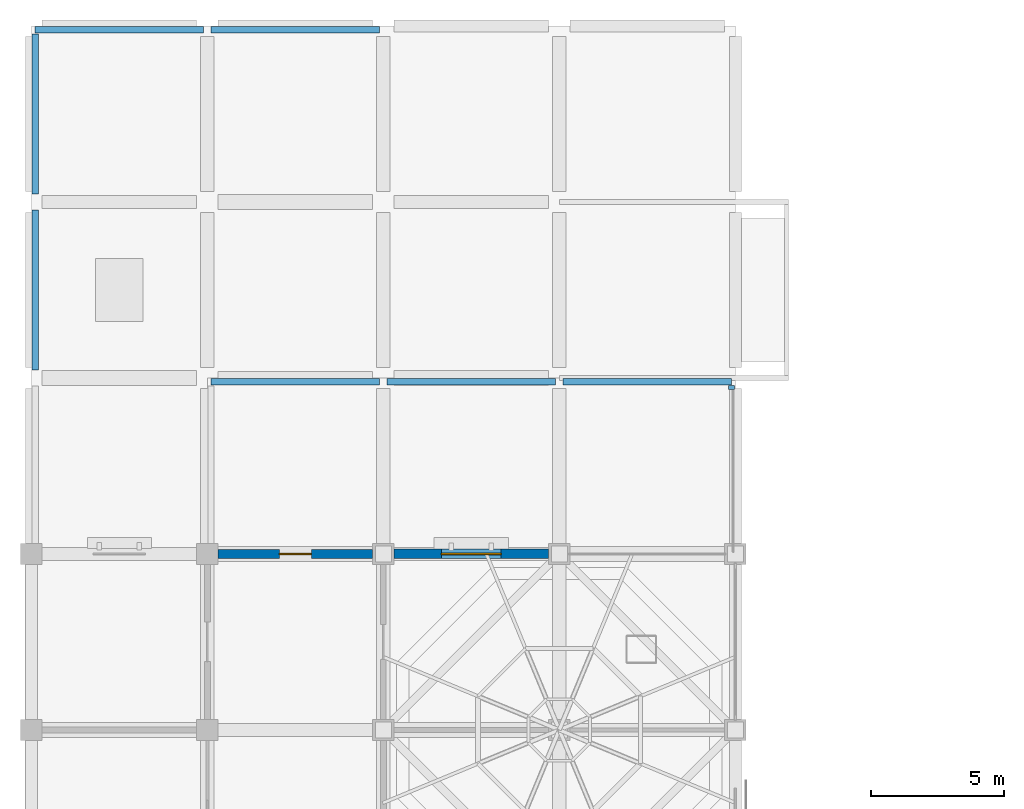
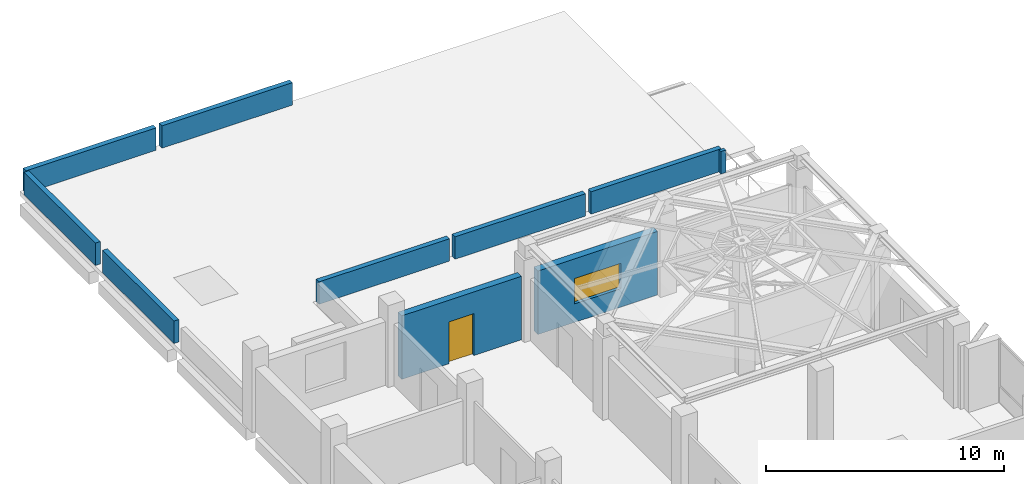
# One storey, part 19 of 25: 10 walls, 1 door, 1 window, 2 openings.
"""IFC4 building model written with IfcOpenShell, lengths in metres."""

from ifc_helpers import new_model, si_unit, direction, frame, frame_2d, origin, place, context, subcontext, project, spatial, rectangle, extrude, material, layer, layer_set, type_object, element, fill, save


model = new_model("IFC4")

# Units and contexts
model_context = context("Model", 3, precision=1e-05, world=origin(), true_north=direction((0.0, 1.0)))
body_context = subcontext(model_context, "Body", "Model", "MODEL_VIEW")
ifc_project = project(units=[si_unit("LENGTHUNIT", "METRE"), si_unit("AREAUNIT", "SQUARE_METRE"), si_unit("VOLUMEUNIT", "CUBIC_METRE"), si_unit("PLANEANGLEUNIT", "RADIAN"), si_unit("MASSUNIT", "GRAM", prefix="KILO")], contexts=[model_context])

# Site, building, storey
site_placement = place(None, origin())
site = spatial("IfcSite", under=ifc_project, at=site_placement, CompositionType="ELEMENT")
building_placement = place(site_placement, origin())
building = spatial("IfcBuilding", under=site, at=building_placement, Name="Rusizi Kubbe Research Institute", CompositionType="ELEMENT")
storey_placement = place(building_placement, frame((0.0, 0.0, 14.39990234375)))
storey = spatial("IfcBuildingStorey", under=building, at=storey_placement, Name="L03", CompositionType="ELEMENT", Elevation=14.39990234375)

# Wall, opening, window
ifc_material_1 = material(Name="Volcanic Basalt Ashlar Masonry", Category="masonry")
ifc_layer_1 = layer(ifc_material_1, 0.35498046875)
ifc_layer_set_1 = layer_set([ifc_layer_1], Name="Volcanic Basalt Ashlar Masonry")
wall_type_1 = type_object("IfcWallType", Name="EW-06", PredefinedType="SOLIDWALL", material=ifc_layer_set_1)
wall_1_placement = place(storey_placement, frame((13.60009765625, 99.0, 0.0), z_axis=(0.0, 0.0, 1.0), x_axis=(1.0, 0.0, 0.0)))
wall_1 = element("IfcWall", 1, at=wall_1_placement, inside=storey, type_object=wall_type_1, Name="Ablaq Stone Exterior Wall L03 H2-15", PredefinedType="SOLIDWALL", context=body_context, shape_type="SweptSolid", body=[
    extrude(rectangle(XDim=5.7998046875, YDim=0.35498046875, at=frame_2d((2.89990234375, 0.0))), origin(), (0.0, 0.0, 1.0), 3.260009765625),
])
opening_1_placement = place(wall_1_placement, frame((1.780029296875, 0.0, 0.949951171875)))
opening_1 = element("IfcOpeningElement", 2, at=opening_1_placement, cuts=wall_1, Name="Opening WN-29", PredefinedType="OPENING", context=body_context, shape_type="SweptSolid", body=[
    extrude(rectangle(XDim=2.239990234375, YDim=1.300048828125, at=frame_2d((1.1201171875, 0.64990234375))), frame((0.0, 0.1875, 0.0), z_axis=(0.0, -1.0, 0.0), x_axis=(1.0, 0.0, 0.0)), (0.0, 0.0, 1.0), 0.375),
])
ifc_material_2 = material(Name="Aluminium Frame and Solar-Control Double Glazing", Category="glass")
window_type = type_object("IfcWindowType", Name="WN-29", PartitioningType="DOUBLE_PANEL_VERTICAL", PredefinedType="WINDOW", material=ifc_material_2)
window_placement = place(opening_1_placement, origin())
window = element("IfcWindow", 3, at=window_placement, inside=storey, type_object=window_type, Name="Casement Window WN-29 L03", OverallHeight=1.300048828125, OverallWidth=2.239990234375, PartitioningType="DOUBLE_PANEL_VERTICAL", PredefinedType="WINDOW", context=body_context, shape_type="SweptSolid", body=[
    extrude(rectangle(XDim=2.239990234375, YDim=1.300048828125, at=frame_2d((1.1201171875, 0.64990234375))), frame((0.0, 0.030029296875, 0.0), z_axis=(0.0, -1.0, 0.0), x_axis=(1.0, 0.0, 0.0)), (0.0, 0.0, 1.0), 0.06005859375),
])
fill(opening_1, window)

# Wall, opening, door
ifc_material_3 = material(Name="Volcanic Basalt Ashlar Masonry", Category="masonry")
ifc_layer_2 = layer(ifc_material_3, 0.324951171875)
ifc_layer_set_2 = layer_set([ifc_layer_2], Name="Volcanic Basalt Ashlar Masonry")
wall_type_2 = type_object("IfcWallType", Name="EW-08", PredefinedType="SOLIDWALL", material=ifc_layer_set_2)
wall_2_placement = place(storey_placement, frame((7.0, 99.0, 0.0), z_axis=(0.0, 0.0, 1.0), x_axis=(1.0, 0.0, 0.0)))
wall_2 = element("IfcWall", 4, at=wall_2_placement, inside=storey, type_object=wall_type_2, Name="Terrace Access Wall L03 H1-15", PredefinedType="SOLIDWALL", context=body_context, shape_type="SweptSolid", body=[
    extrude(rectangle(XDim=5.800048828125, YDim=0.324951171875, at=frame_2d((2.89990234375, 0.0))), origin(), (0.0, 0.0, 1.0), 3.260009765625),
])
opening_2_placement = place(wall_2_placement, frame((2.300048828125, 0.0, 0.0)))
opening_2 = element("IfcOpeningElement", 5, at=opening_2_placement, cuts=wall_2, Name="Opening D-38", PredefinedType="OPENING", context=body_context, shape_type="SweptSolid", body=[
    extrude(rectangle(XDim=1.199951171875, YDim=2.14990234375, at=frame_2d((0.60009765625, 1.074951171875))), frame((0.0, 0.17236328125, 0.0), z_axis=(0.0, -1.0, 0.0), x_axis=(1.0, 0.0, 0.0)), (0.0, 0.0, 1.0), 0.344970703125),
])
ifc_material_4 = material(Name="Insulated Steel and Laminated Safety Glass", Category="steel")
door_type = type_object("IfcDoorType", Name="ED-08", OperationType="NOTDEFINED", PredefinedType="DOOR", material=ifc_material_4)
door_placement = place(opening_2_placement, origin())
door = element("IfcDoor", 6, at=door_placement, inside=storey, type_object=door_type, Name="Roof Terrace Door L03-T03", OperationType="SINGLE_SWING_RIGHT", OverallHeight=2.14990234375, OverallWidth=1.199951171875, PredefinedType="DOOR", context=body_context, shape_type="SweptSolid", body=[
    extrude(rectangle(XDim=1.199951171875, YDim=2.14990234375, at=frame_2d((0.60009765625, 1.074951171875))), frame((0.0, 0.02490234375, 0.0), z_axis=(0.0, -1.0, 0.0), x_axis=(1.0, 0.0, 0.0)), (0.0, 0.0, 1.0), 0.050048828125),
])
fill(opening_2, door)

# Walls
ifc_material_5 = material(Name="Volcanic Basalt Ashlar Masonry", Category="masonry")
ifc_layer_3 = layer(ifc_material_5, 0.239990234375)
ifc_layer_set_3 = layer_set([ifc_layer_3], Name="Volcanic Basalt Ashlar Masonry")
wall_type_3 = type_object("IfcWallType", Name="PRP-01", PredefinedType="PARAPET", material=ifc_layer_set_3)
wall_3_placement = place(storey_placement, frame((6.739990234375, 105.4599609375, 0.0), z_axis=(0.0, 0.0, 1.0), x_axis=(1.0, 0.0, 0.0)))
element("IfcWall", 7, at=wall_3_placement, inside=storey, type_object=wall_type_3, Name="Terrace Divider Parapet Wall L03-001", PredefinedType="PARAPET", context=body_context, shape_type="SweptSolid", body=[
    extrude(rectangle(XDim=6.320068359375, YDim=0.239990234375, at=frame_2d((3.16015625, 0.0))), origin(), (0.0, 0.0, 1.0), 1.150146484375),
])
wall_4_placement = place(storey_placement, frame((13.340087890625, 105.4599609375, 0.0), z_axis=(0.0, 0.0, 1.0), x_axis=(1.0, 0.0, 0.0)))
element("IfcWall", 8, at=wall_4_placement, inside=storey, type_object=wall_type_3, Name="Terrace Divider Parapet Wall L03-003", PredefinedType="PARAPET", context=body_context, shape_type="SweptSolid", body=[
    extrude(rectangle(XDim=6.31982421875, YDim=0.239990234375, at=frame_2d((3.159912109375, 0.0))), origin(), (0.0, 0.0, 1.0), 1.150146484375),
])
wall_5_placement = place(storey_placement, frame((19.93994140625, 105.4599609375, 0.0), z_axis=(0.0, 0.0, 1.0), x_axis=(1.0, 0.0, 0.0)))
element("IfcWall", 9, at=wall_5_placement, inside=storey, type_object=wall_type_3, Name="Terrace Divider Parapet Wall L03-004", PredefinedType="PARAPET", context=body_context, shape_type="SweptSolid", body=[
    extrude(rectangle(XDim=6.320068359375, YDim=0.239990234375, at=frame_2d((3.16015625, 0.0))), origin(), (0.0, 0.0, 1.0), 1.150146484375),
])
wall_6_placement = place(storey_placement, frame((26.260009765625, 105.159912109375, 0.0), z_axis=(0.0, 0.0, 1.0), x_axis=(0.0, 1.0, 0.0)))
element("IfcWall", 10, at=wall_6_placement, inside=storey, type_object=wall_type_3, Name="Terrace Corner Parapet L03-005", PredefinedType="PARAPET", context=body_context, shape_type="SweptSolid", body=[
    extrude(rectangle(XDim=0.16015625, YDim=0.239990234375, at=frame_2d((0.080078125, 0.0))), origin(), (0.0, 0.0, 1.0), 1.150146484375),
])
wall_7_placement = place(storey_placement, frame((0.139892578125, 105.89990234375, 0.0), z_axis=(0.0, 0.0, 1.0), x_axis=(0.0, 1.0, 0.0)))
element("IfcWall", 11, at=wall_7_placement, inside=storey, type_object=wall_type_3, Name="Roof Parapet Wall L03-011", PredefinedType="PARAPET", context=body_context, shape_type="SweptSolid", body=[
    extrude(rectangle(XDim=6.0, YDim=0.239990234375, at=frame_2d((3.0, 0.0))), origin(), (0.0, 0.0, 1.0), 1.150146484375),
])
wall_8_placement = place(storey_placement, frame((0.139892578125, 118.659912109375, 0.0), z_axis=(0.0, 0.0, 1.0), x_axis=(1.0, 0.0, 0.0)))
element("IfcWall", 12, at=wall_8_placement, inside=storey, type_object=wall_type_3, Name="Roof Parapet Wall L03-012", PredefinedType="PARAPET", context=body_context, shape_type="SweptSolid", body=[
    extrude(rectangle(XDim=6.320068359375, YDim=0.239990234375, at=frame_2d((3.16015625, 0.0))), origin(), (0.0, 0.0, 1.0), 1.150146484375),
])
wall_9_placement = place(storey_placement, frame((0.139892578125, 112.5, 0.0), z_axis=(0.0, 0.0, 1.0), x_axis=(0.0, 1.0, 0.0)))
element("IfcWall", 13, at=wall_9_placement, inside=storey, type_object=wall_type_3, Name="Roof Parapet Wall L03-013", PredefinedType="PARAPET", context=body_context, shape_type="SweptSolid", body=[
    extrude(rectangle(XDim=6.0, YDim=0.239990234375, at=frame_2d((3.0, 0.0))), origin(), (0.0, 0.0, 1.0), 1.150146484375),
])
wall_10_placement = place(storey_placement, frame((6.739990234375, 118.659912109375, 0.0), z_axis=(0.0, 0.0, 1.0), x_axis=(1.0, 0.0, 0.0)))
element("IfcWall", 14, at=wall_10_placement, inside=storey, type_object=wall_type_3, Name="Roof Parapet Wall L03-014", PredefinedType="PARAPET", context=body_context, shape_type="SweptSolid", body=[
    extrude(rectangle(XDim=6.320068359375, YDim=0.239990234375, at=frame_2d((3.16015625, 0.0))), origin(), (0.0, 0.0, 1.0), 1.150146484375),
])

save(model, "model.ifc")
